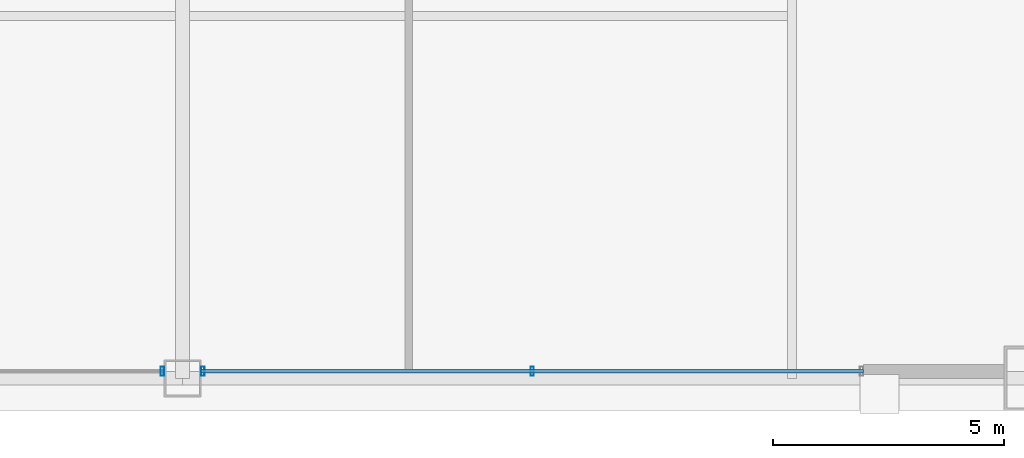
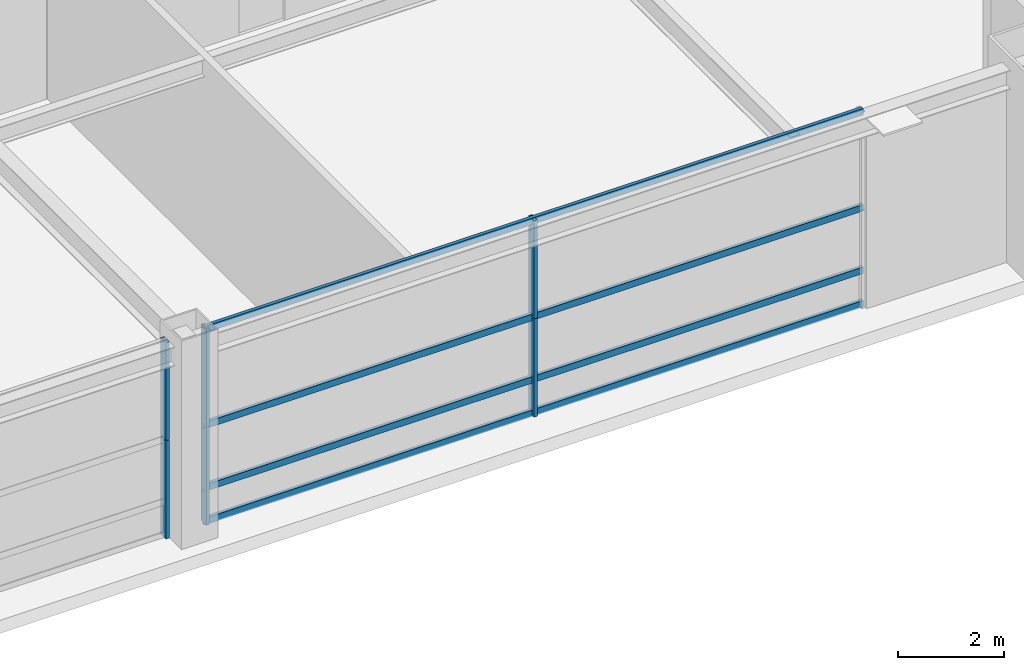
# One storey, part 10 of 34: 10 members, 2 elements without a shape of their own.
"""IFC4 building model written with IfcOpenShell, lengths in metres."""

from ifc_helpers import new_model, si_unit, direction, frame, origin, origin_2d, place, context, subcontext, project, spatial, hollow_rectangle, extrude, source, transform, mapped, material, layer, layer_set, material_profile, profile_set, type_object, element, aggregate, save


model = new_model("IFC4")

# Units and contexts
model_context = context("Model", 3, precision=1e-05, world=origin(), true_north=direction((0.0, 1.0)))
body_context = subcontext(model_context, "Body", "Model", "MODEL_VIEW")
ifc_project = project(units=[si_unit("LENGTHUNIT", "METRE"), si_unit("AREAUNIT", "SQUARE_METRE"), si_unit("VOLUMEUNIT", "CUBIC_METRE"), si_unit("PLANEANGLEUNIT", "RADIAN"), si_unit("MASSUNIT", "GRAM", prefix="KILO"), si_unit("THERMODYNAMICTEMPERATUREUNIT", "KELVIN"), si_unit("POWERUNIT", "WATT")], contexts=[model_context])

# Site, building, storey
site_placement = place(None, origin())
site = spatial("IfcSite", under=ifc_project, at=site_placement, CompositionType="ELEMENT")
building_placement = place(site_placement, origin())
building = spatial("IfcBuilding", under=site, at=building_placement, Name="Yuzanri Waterfront Tower", CompositionType="ELEMENT")
storey_placement = place(building_placement, frame((0.0, 0.0, 171.60009765625)))
storey = spatial("IfcBuildingStorey", under=building, at=storey_placement, Name="L45", CompositionType="ELEMENT", Elevation=171.60009765625)

# Curtain wall, member
ifc_material_1 = material(Name="Anodized Architectural Bronze", Category="metal")
ifc_layer = layer(ifc_material_1, 0.159912109375)
ifc_layer_set = layer_set([ifc_layer], Name="Anodized Architectural Bronze")
curtain_wall_type = type_object("IfcCurtainWallType", Name="Anodized Bronze Sky-Lobby Triple-Glazed Feature Curtain Wall 7500", PredefinedType="NOTDEFINED", material=ifc_layer_set)
curtain_wall_1_placement = place(storey_placement, origin())
curtain_wall_1 = element("IfcCurtainWall", 1, at=curtain_wall_1_placement, inside=storey, type_object=curtain_wall_type, Name="L45 Curtain Wall CW-L45-SL", PredefinedType="NOTDEFINED")
ifc_material_2 = material(Name="Anodized Architectural Bronze", Category="metal")
ifc_material_profile_1 = material_profile(ifc_material_2, hollow_rectangle(XDim=0.074951171875, YDim=0.199951171875, WallThickness=0.00390625, at=origin_2d()), Name="CWM 75x200")
ifc_profile_set_1 = profile_set([ifc_material_profile_1], Name="Anodized Architectural Bronze")
member_type_1 = type_object("IfcMemberType", Name="Anodized Bronze Primary Curtain-Wall Mullion 75x200", PredefinedType="MULLION", material=ifc_profile_set_1)
shared_shape_1 = source(origin(), body_context, "Body", "SweptSolid", [
    extrude(hollow_rectangle(XDim=0.074951171875, YDim=0.199951171875, WallThickness=0.00390625, at=origin_2d()), origin(), (0.0, 0.0, 1.0), 2.258056640625),
])
member_1_placement = place(storey_placement, frame((36.56005859375, 3.85009765625, 2.261962890625), z_axis=(0.0, 0.0, 1.0), x_axis=(1.0, 0.0, 0.0)))
member_1 = element("IfcMember", 2, at=member_1_placement, type_object=member_type_1, Name="CW-L45-SL Upper Mullion 02", PredefinedType="MULLION", context=body_context, shape_type="MappedRepresentation", body=[
    mapped(shared_shape_1, transform((0.0, 0.0, 0.0), scale=1.0)),
])

# Curtain wall, members
curtain_wall_2_placement = place(storey_placement, origin())
curtain_wall_2 = element("IfcCurtainWall", 3, at=curtain_wall_2_placement, inside=storey, type_object=curtain_wall_type, Name="L45 Curtain Wall CW-L45-SR", PredefinedType="NOTDEFINED")
member_2_placement = place(storey_placement, frame((37.43994140625, 3.85009765625, 2.261962890625), z_axis=(0.0, 0.0, 1.0), x_axis=(1.0, 0.0, 0.0)))
member_2 = element("IfcMember", 4, at=member_2_placement, type_object=member_type_1, Name="CW-L45-SR Upper Mullion 00", PredefinedType="MULLION", context=body_context, shape_type="MappedRepresentation", body=[
    mapped(shared_shape_1, transform((0.0, 0.0, 0.0), scale=1.0)),
])
member_3_placement = place(storey_placement, frame((44.574951171875, 3.85009765625, 2.261962890625), z_axis=(0.0, 0.0, 1.0), x_axis=(1.0, 0.0, 0.0)))
member_3 = element("IfcMember", 5, at=member_3_placement, type_object=member_type_1, Name="CW-L45-SR Upper Mullion 01", PredefinedType="MULLION", context=body_context, shape_type="MappedRepresentation", body=[
    mapped(shared_shape_1, transform((0.0, 0.0, 0.0), scale=1.0)),
])

# Member
shared_shape_2 = source(origin(), body_context, "Body", "SweptSolid", [
    extrude(hollow_rectangle(XDim=0.074951171875, YDim=0.199951171875, WallThickness=0.00390625, at=origin_2d()), origin(), (0.0, 0.0, 1.0), 2.2578125),
])
member_4_placement = place(storey_placement, frame((36.56005859375, 3.85009765625, 0.0), z_axis=(0.0, 0.0, 1.0), x_axis=(1.0, 0.0, 0.0)))
member_4 = element("IfcMember", 6, at=member_4_placement, type_object=member_type_1, Name="CW-L45-SL Lower Mullion 02", PredefinedType="MULLION", context=body_context, shape_type="MappedRepresentation", body=[
    mapped(shared_shape_2, transform((0.0, 0.0, 0.0), scale=1.0)),
])

aggregate(curtain_wall_1, [member_4, member_1])

member_5_placement = place(storey_placement, frame((37.43994140625, 3.85009765625, 0.0), z_axis=(0.0, 0.0, 1.0), x_axis=(1.0, 0.0, 0.0)))
member_5 = element("IfcMember", 7, at=member_5_placement, type_object=member_type_1, Name="CW-L45-SR Lower Mullion 00", PredefinedType="MULLION", context=body_context, shape_type="MappedRepresentation", body=[
    mapped(shared_shape_2, transform((0.0, 0.0, 0.0), scale=1.0)),
])

member_6_placement = place(storey_placement, frame((44.574951171875, 3.85009765625, 0.0), z_axis=(0.0, 0.0, 1.0), x_axis=(1.0, 0.0, 0.0)))
member_6 = element("IfcMember", 8, at=member_6_placement, type_object=member_type_1, Name="CW-L45-SR Lower Mullion 01", PredefinedType="MULLION", context=body_context, shape_type="MappedRepresentation", body=[
    mapped(shared_shape_2, transform((0.0, 0.0, 0.0), scale=1.0)),
])

ifc_material_3 = material(Name="Anodized Architectural Bronze", Category="metal")
ifc_material_profile_2 = material_profile(ifc_material_3, hollow_rectangle(XDim=0.074951171875, YDim=0.14990234375, WallThickness=0.00390625, at=origin_2d()), Name="CWT 75x150")
ifc_profile_set_2 = profile_set([ifc_material_profile_2], Name="Anodized Architectural Bronze")
member_type_2 = type_object("IfcMemberType", Name="Anodized Bronze Primary Curtain-Wall Transom 75x150", PredefinedType="USERDEFINED", material=ifc_profile_set_2)
shared_shape_3 = source(origin(), body_context, "Body", "SweptSolid", [
    extrude(hollow_rectangle(XDim=0.074951171875, YDim=0.14990234375, WallThickness=0.00390625, at=origin_2d()), origin(), (0.0, 0.0, 1.0), 14.35009765625),
])
member_7_placement = place(storey_placement, frame((37.39990234375, 3.85009765625, 0.0498046875), z_axis=(1.0, 0.0, 0.0), x_axis=(0.0, 1.0, 0.0)))
member_7 = element("IfcMember", 9, at=member_7_placement, type_object=member_type_2, Name="CW-L45-SR Transom 1", ObjectType="TRANSOM", PredefinedType="USERDEFINED", context=body_context, shape_type="MappedRepresentation", body=[
    mapped(shared_shape_3, transform((0.0, 0.0, 0.0), scale=1.0)),
])

member_8_placement = place(storey_placement, frame((37.39990234375, 3.85009765625, 0.81982421875), z_axis=(1.0, 0.0, 0.0), x_axis=(0.0, 1.0, 0.0)))
member_8 = element("IfcMember", 10, at=member_8_placement, type_object=member_type_2, Name="CW-L45-SR Transom 2", ObjectType="TRANSOM", PredefinedType="USERDEFINED", context=body_context, shape_type="MappedRepresentation", body=[
    mapped(shared_shape_3, transform((0.0, 0.0, 0.0), scale=1.0)),
])

member_9_placement = place(storey_placement, frame((37.39990234375, 3.85009765625, 2.260009765625), z_axis=(1.0, 0.0, 0.0), x_axis=(0.0, 1.0, 0.0)))
member_9 = element("IfcMember", 11, at=member_9_placement, type_object=member_type_2, Name="CW-L45-SR Transom 3", ObjectType="TRANSOM", PredefinedType="USERDEFINED", context=body_context, shape_type="MappedRepresentation", body=[
    mapped(shared_shape_3, transform((0.0, 0.0, 0.0), scale=1.0)),
])

member_10_placement = place(storey_placement, frame((37.39990234375, 3.85009765625, 4.469970703125), z_axis=(1.0, 0.0, 0.0), x_axis=(0.0, 1.0, 0.0)))
member_10 = element("IfcMember", 12, at=member_10_placement, type_object=member_type_2, Name="CW-L45-SR Transom 4", ObjectType="TRANSOM", PredefinedType="USERDEFINED", context=body_context, shape_type="MappedRepresentation", body=[
    mapped(shared_shape_3, transform((0.0, 0.0, 0.0), scale=1.0)),
])

aggregate(curtain_wall_2, [member_5, member_2, member_6, member_3, member_7, member_8, member_9, member_10])

save(model, "model.ifc")
